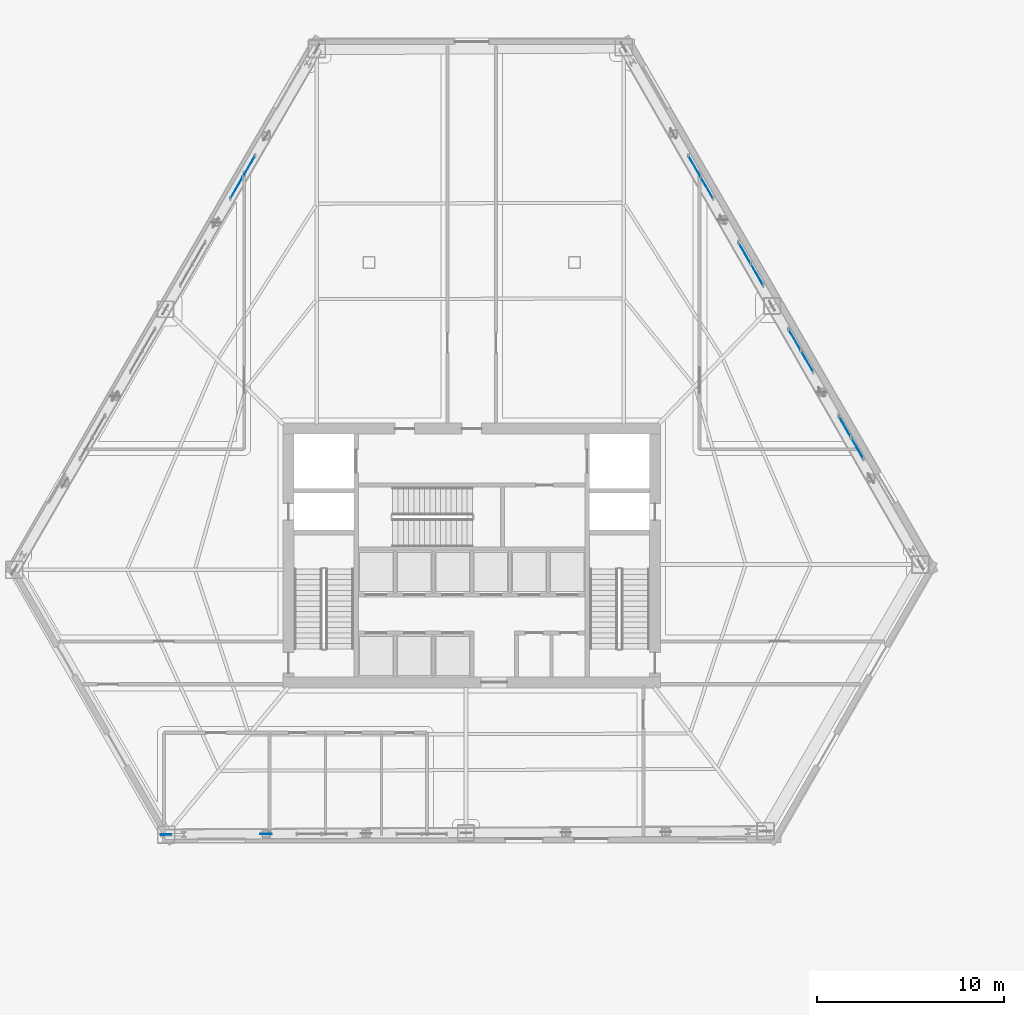
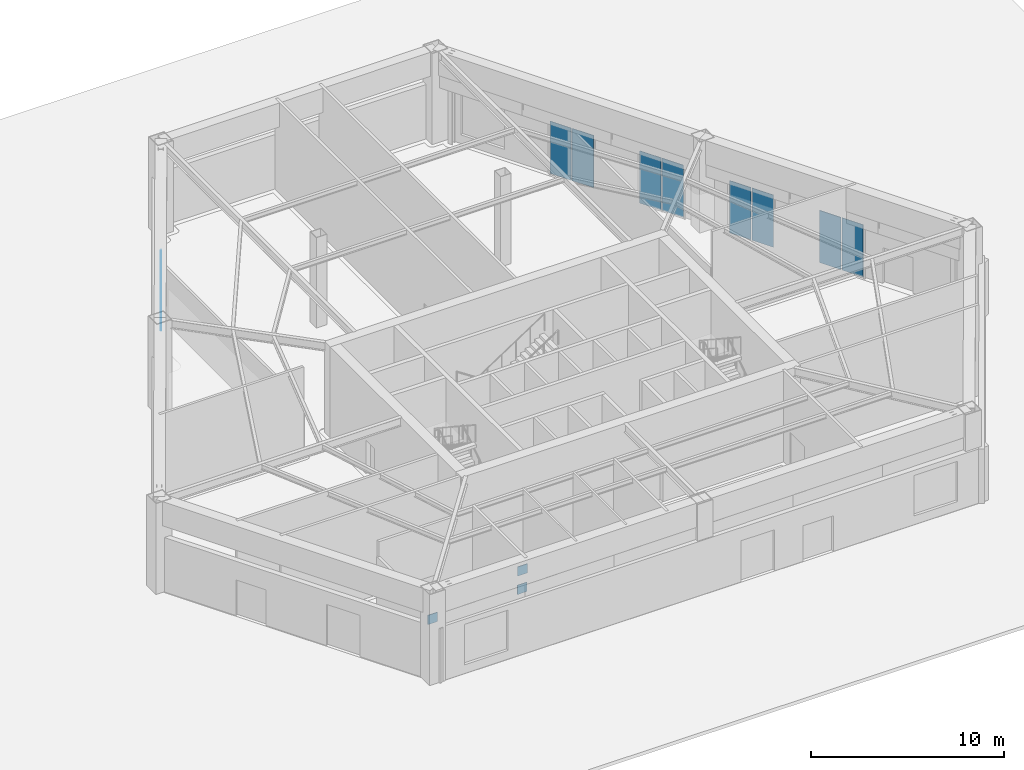
# One storey, part 11 of 20: 13 plates, 5 elements without a shape of their own.
"""IFC4 building model written with IfcOpenShell, lengths in metres."""

from ifc_helpers import new_model, si_unit, direction, frame, origin, origin_2d, place, context, subcontext, project, spatial, rectangle, extrude, material, layer, layer_set, type_object, element, aggregate, save


model = new_model("IFC4")

# Units and contexts
model_context = context("Model", 3, precision=1e-05, world=origin(), true_north=direction((0.0, 1.0)))
body_context = subcontext(model_context, "Body", "Model", "MODEL_VIEW")
ifc_project = project(units=[si_unit("LENGTHUNIT", "METRE"), si_unit("AREAUNIT", "SQUARE_METRE"), si_unit("VOLUMEUNIT", "CUBIC_METRE"), si_unit("PLANEANGLEUNIT", "RADIAN"), si_unit("MASSUNIT", "GRAM", prefix="KILO")], contexts=[model_context])

# Site, building, storey
site_placement = place(None, origin())
site = spatial("IfcSite", under=ifc_project, at=site_placement, CompositionType="ELEMENT")
building_placement = place(site_placement, origin())
building = spatial("IfcBuilding", under=site, at=building_placement, Name="Kavelnor Concourse Tower", CompositionType="ELEMENT")
storey_placement = place(building_placement, origin())
storey = spatial("IfcBuildingStorey", under=building, at=storey_placement, Name="L00", CompositionType="ELEMENT", Elevation=0.0)

# Curtain wall, plates
ifc_material_1 = material(Name="Anodised aluminium 6063-T6", Category="aluminium")
ifc_layer_1 = layer(ifc_material_1, 0.199951171875, Name="Anodised aluminium 6063-T6")
ifc_layer_set_1 = layer_set([ifc_layer_1], Name="Anodised aluminium 6063-T6")
curtain_wall_type = type_object("IfcCurtainWallType", Name="CW-CONCOURSE", PredefinedType="NOTDEFINED", material=ifc_layer_set_1)
curtain_wall_1_placement = place(storey_placement, origin())
curtain_wall_1 = element("IfcCurtainWall", 1, at=curtain_wall_1_placement, inside=storey, type_object=curtain_wall_type, Name="L00 Street Concourse Shopfront Curtain Wall 1", PredefinedType="NOTDEFINED")
ifc_material_2 = material(Name="Double low-E argon insulated glazing", Category="glass")
ifc_layer_2 = layer(ifc_material_2, 0.031982421875, Name="Double low-E argon insulated glazing")
ifc_layer_set_2 = layer_set([ifc_layer_2], Name="Double low-E argon insulated glazing")
plate_type_1 = type_object("IfcPlateType", Name="CW-CONCOURSE-PANEL", PredefinedType="CURTAIN_PANEL", material=ifc_layer_set_2)
plate_1_placement = place(storey_placement, frame((26.060546875, 36.960205078125, 0.06005859375), z_axis=(0.0, 0.0, 1.0), x_axis=(-0.5, -0.866025403784, 0.0)))
plate_1 = element("IfcPlate", 2, at=plate_1_placement, type_object=plate_type_1, Name="L00 Street Concourse Shopfront Curtain Wall 1 Vision Panel 1", PredefinedType="CURTAIN_PANEL", context=body_context, shape_type="SweptSolid", body=[
    extrude(rectangle(XDim=1.27490234375, YDim=0.031982421875, at=origin_2d()), origin(), (0.0, 0.0, 1.0), 3.300048828125),
])
plate_2_placement = place(storey_placement, frame((25.3935546875, 35.80517578125, 0.06005859375), z_axis=(0.0, 0.0, 1.0), x_axis=(-0.5, -0.866025403784, 0.0)))
plate_2 = element("IfcPlate", 3, at=plate_2_placement, type_object=plate_type_1, Name="L00 Street Concourse Shopfront Curtain Wall 1 Vision Panel 2", PredefinedType="CURTAIN_PANEL", context=body_context, shape_type="SweptSolid", body=[
    extrude(rectangle(XDim=1.27490234375, YDim=0.031982421875, at=origin_2d()), origin(), (0.0, 0.0, 1.0), 3.300048828125),
])
aggregate(curtain_wall_1, [plate_1, plate_2])

curtain_wall_2_placement = place(storey_placement, origin())
curtain_wall_2 = element("IfcCurtainWall", 4, at=curtain_wall_2_placement, inside=storey, type_object=curtain_wall_type, Name="L00 Street Concourse Shopfront Curtain Wall 7", PredefinedType="NOTDEFINED")
plate_3_placement = place(storey_placement, frame((58.65771484375, 21.859619140625, 0.06005859375), z_axis=(0.0, 0.0, 1.0), x_axis=(-0.5, 0.866025403784, 0.0)))
plate_3 = element("IfcPlate", 5, at=plate_3_placement, type_object=plate_type_1, Name="L00 Street Concourse Shopfront Curtain Wall 7 Vision Panel 1", PredefinedType="CURTAIN_PANEL", context=body_context, shape_type="SweptSolid", body=[
    extrude(rectangle(XDim=1.27490234375, YDim=0.031982421875, at=origin_2d()), origin(), (0.0, 0.0, 1.0), 3.300048828125),
])
plate_4_placement = place(storey_placement, frame((57.990966796875, 23.014892578125, 0.06005859375), z_axis=(0.0, 0.0, 1.0), x_axis=(-0.5, 0.866025403784, 0.0)))
plate_4 = element("IfcPlate", 6, at=plate_4_placement, type_object=plate_type_1, Name="L00 Street Concourse Shopfront Curtain Wall 7 Vision Panel 2", PredefinedType="CURTAIN_PANEL", context=body_context, shape_type="SweptSolid", body=[
    extrude(rectangle(XDim=1.27490234375, YDim=0.031982421875, at=origin_2d()), origin(), (0.0, 0.0, 1.0), 3.300048828125),
])
aggregate(curtain_wall_2, [plate_3, plate_4])

curtain_wall_3_placement = place(storey_placement, origin())
curtain_wall_3 = element("IfcCurtainWall", 7, at=curtain_wall_3_placement, inside=storey, type_object=curtain_wall_type, Name="L00 Street Concourse Shopfront Curtain Wall 8", PredefinedType="NOTDEFINED")
plate_5_placement = place(storey_placement, frame((55.97412109375, 26.50830078125, 0.06005859375), z_axis=(0.0, 0.0, 1.0), x_axis=(-0.5, 0.866025403784, 0.0)))
plate_5 = element("IfcPlate", 8, at=plate_5_placement, type_object=plate_type_1, Name="L00 Street Concourse Shopfront Curtain Wall 8 Vision Panel 1", PredefinedType="CURTAIN_PANEL", context=body_context, shape_type="SweptSolid", body=[
    extrude(rectangle(XDim=1.27490234375, YDim=0.031982421875, at=origin_2d()), origin(), (0.0, 0.0, 1.0), 3.300048828125),
])
plate_6_placement = place(storey_placement, frame((55.306884765625, 27.663330078125, 0.06005859375), z_axis=(0.0, 0.0, 1.0), x_axis=(-0.5, 0.866025403784, 0.0)))
plate_6 = element("IfcPlate", 9, at=plate_6_placement, type_object=plate_type_1, Name="L00 Street Concourse Shopfront Curtain Wall 8 Vision Panel 2", PredefinedType="CURTAIN_PANEL", context=body_context, shape_type="SweptSolid", body=[
    extrude(rectangle(XDim=1.27490234375, YDim=0.031982421875, at=origin_2d()), origin(), (0.0, 0.0, 1.0), 3.300048828125),
])
aggregate(curtain_wall_3, [plate_5, plate_6])

curtain_wall_4_placement = place(storey_placement, origin())
curtain_wall_4 = element("IfcCurtainWall", 10, at=curtain_wall_4_placement, inside=storey, type_object=curtain_wall_type, Name="L00 Street Concourse Shopfront Curtain Wall 9", PredefinedType="NOTDEFINED")
plate_7_placement = place(storey_placement, frame((53.290283203125, 31.15673828125, 0.06005859375), z_axis=(0.0, 0.0, 1.0), x_axis=(-0.5, 0.866025403784, 0.0)))
plate_7 = element("IfcPlate", 11, at=plate_7_placement, type_object=plate_type_1, Name="L00 Street Concourse Shopfront Curtain Wall 9 Vision Panel 1", PredefinedType="CURTAIN_PANEL", context=body_context, shape_type="SweptSolid", body=[
    extrude(rectangle(XDim=1.27490234375, YDim=0.031982421875, at=origin_2d()), origin(), (0.0, 0.0, 1.0), 3.300048828125),
])
plate_8_placement = place(storey_placement, frame((52.623291015625, 32.311767578125, 0.06005859375), z_axis=(0.0, 0.0, 1.0), x_axis=(-0.5, 0.866025403784, 0.0)))
plate_8 = element("IfcPlate", 12, at=plate_8_placement, type_object=plate_type_1, Name="L00 Street Concourse Shopfront Curtain Wall 9 Vision Panel 2", PredefinedType="CURTAIN_PANEL", context=body_context, shape_type="SweptSolid", body=[
    extrude(rectangle(XDim=1.27490234375, YDim=0.031982421875, at=origin_2d()), origin(), (0.0, 0.0, 1.0), 3.300048828125),
])
aggregate(curtain_wall_4, [plate_7, plate_8])

curtain_wall_5_placement = place(storey_placement, origin())
curtain_wall_5 = element("IfcCurtainWall", 13, at=curtain_wall_5_placement, inside=storey, type_object=curtain_wall_type, Name="L00 Street Concourse Shopfront Curtain Wall 10", PredefinedType="NOTDEFINED")
plate_9_placement = place(storey_placement, frame((50.606201171875, 35.80517578125, 0.06005859375), z_axis=(0.0, 0.0, 1.0), x_axis=(-0.5, 0.866025403784, 0.0)))
plate_9 = element("IfcPlate", 14, at=plate_9_placement, type_object=plate_type_1, Name="L00 Street Concourse Shopfront Curtain Wall 10 Vision Panel 1", PredefinedType="CURTAIN_PANEL", context=body_context, shape_type="SweptSolid", body=[
    extrude(rectangle(XDim=1.27490234375, YDim=0.031982421875, at=origin_2d()), origin(), (0.0, 0.0, 1.0), 3.300048828125),
])
plate_10_placement = place(storey_placement, frame((49.939453125, 36.960205078125, 0.06005859375), z_axis=(0.0, 0.0, 1.0), x_axis=(-0.5, 0.866025403784, 0.0)))
plate_10 = element("IfcPlate", 15, at=plate_10_placement, type_object=plate_type_1, Name="L00 Street Concourse Shopfront Curtain Wall 10 Vision Panel 2", PredefinedType="CURTAIN_PANEL", context=body_context, shape_type="SweptSolid", body=[
    extrude(rectangle(XDim=1.27490234375, YDim=0.031982421875, at=origin_2d()), origin(), (0.0, 0.0, 1.0), 3.300048828125),
])
aggregate(curtain_wall_5, [plate_9, plate_10])

# Plates
ifc_material_3 = material(Name="Steel Grade 350", Category="steel")
ifc_layer_3 = layer(ifc_material_3, 0.0400390625, Name="Steel Grade 350")
ifc_layer_set_3 = layer_set([ifc_layer_3], Name="Steel Grade 350")
plate_type_2 = type_object("IfcPlateType", Name="PL-GUSSET-XFER", PredefinedType="USERDEFINED", material=ifc_layer_set_3)
for number, where, z_axis, x_axis, name in (
    (16, (21.612548828125, 1.142333984375, 3.52490234375), (0.0, 0.0, 1.0), (0.999985363169, 0.005410494284, 0.0), "L00 Transfer Diagonal F1-B0 End Gusset A"),
    (17, (26.989990234375, 1.171630859375, 4.68994140625), (0.0, 0.0, 1.0), (0.999985363169, 0.005410494284, 0.0), "L00 Transfer Diagonal F1-B0 End Gusset B"),
    (18, (26.966064453125, 1.17138671875, 3.52490234375), (0.0, 0.0, 1.0), (0.999985363169, 0.005410494284, 0.0), "L00 Transfer Diagonal F1-B1 End Gusset A"),
):
    element("IfcPlate", number, at=place(storey_placement, frame(where, z_axis=z_axis, x_axis=x_axis)), inside=storey, type_object=plate_type_2, Name=name, ObjectType="GUSSET_PLATE", PredefinedType="USERDEFINED", context=body_context, shape_type="SweptSolid", body=[
        extrude(rectangle(XDim=0.580078125, YDim=0.0400390625, at=origin_2d()), origin(), (0.0, 0.0, 1.0), 0.580078125),
    ])

save(model, "model.ifc")
